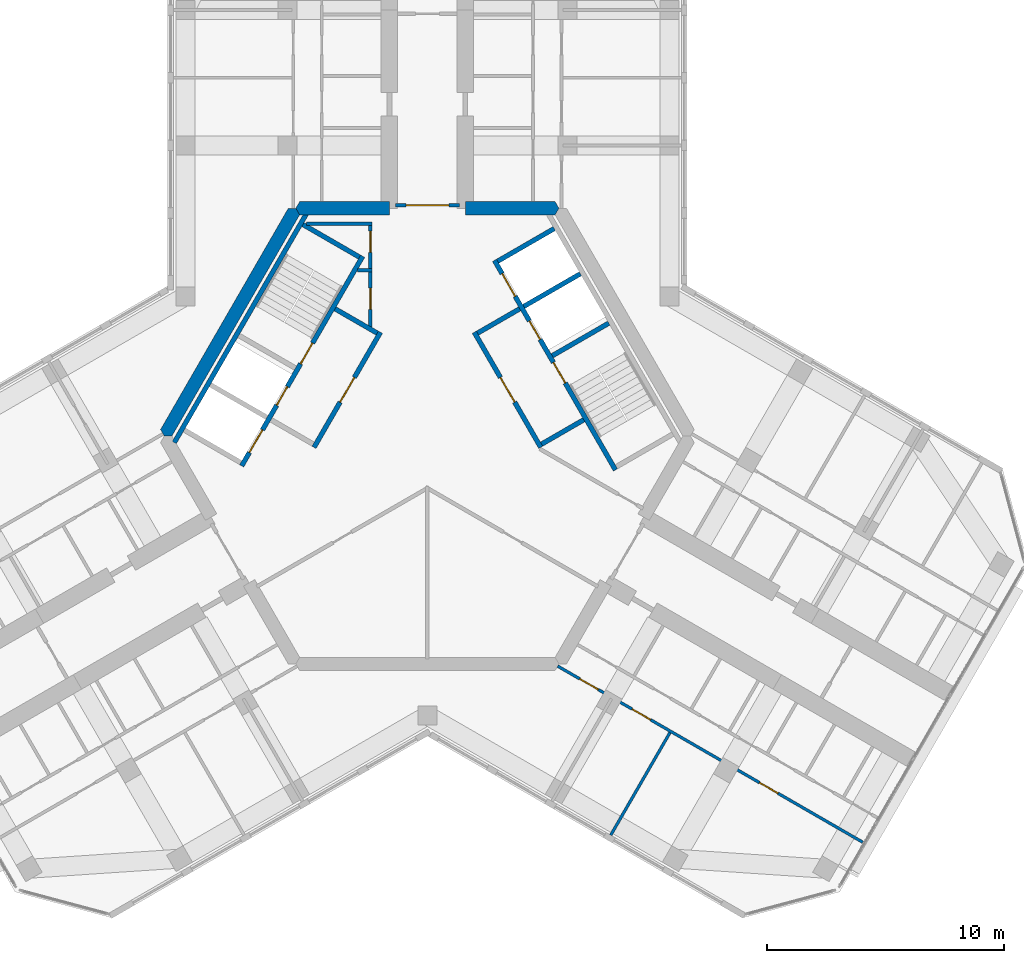
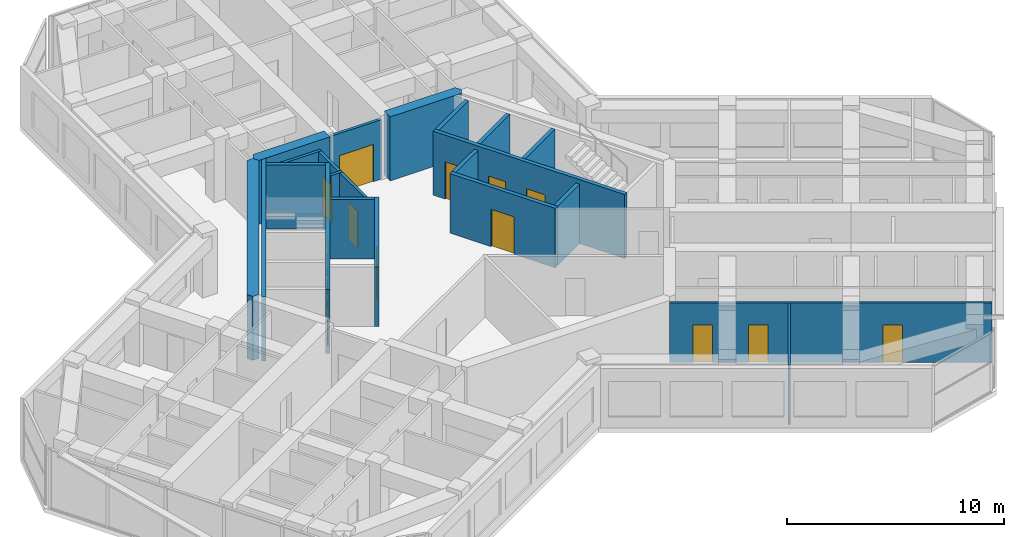
# One storey, part 9 of 14: 21 walls, 14 doors, 14 openings.
"""IFC4 building model written with IfcOpenShell, lengths in metres."""

from ifc_helpers import new_model, si_unit, direction, frame, frame_2d, origin, place, context, subcontext, project, spatial, polyline, rectangle, outline, extrude, material, layer, layer_set, type_object, element, fill, save


model = new_model("IFC4")

# Units and contexts
model_context = context("Model", 3, precision=1e-05, world=origin(), true_north=direction((0.0, 1.0)))
body_context = subcontext(model_context, "Body", "Model", "MODEL_VIEW")
ifc_project = project(units=[si_unit("LENGTHUNIT", "METRE"), si_unit("AREAUNIT", "SQUARE_METRE"), si_unit("VOLUMEUNIT", "CUBIC_METRE"), si_unit("PLANEANGLEUNIT", "RADIAN"), si_unit("MASSUNIT", "GRAM", prefix="KILO")], contexts=[model_context])

# Site, building, storey
site_placement = place(None, origin())
site = spatial("IfcSite", under=ifc_project, at=site_placement, CompositionType="ELEMENT")
building_placement = place(site_placement, origin())
building = spatial("IfcBuilding", under=site, at=building_placement, Name="Kosmar Iwan School Tower", CompositionType="ELEMENT")
storey_placement = place(building_placement, frame((0.0, 0.0, 281.800048828125)))
storey = spatial("IfcBuildingStorey", under=building, at=storey_placement, Name="L71", CompositionType="ELEMENT", Elevation=281.800048828125)

# Wall, openings, doors
ifc_material_1 = material(Name="Gypsum board on steel studs, fire-rated", Category="steel")
ifc_layer_1 = layer(ifc_material_1, 0.14990234375)
ifc_layer_set_1 = layer_set([ifc_layer_1], Name="Core room partition 150")
wall_type_1 = type_object("IfcWallType", Name="Core room partition 150", PredefinedType="PARTITIONING", material=ifc_layer_set_1)
wall_1_placement = place(storey_placement, frame((-2.39990234375, 9.014892578125, 0.0), z_axis=(0.0, 0.0, 1.0), x_axis=(0.0, -1.0, 0.0)))
wall_1 = element("IfcWall", 1, at=wall_1_placement, inside=storey, type_object=wall_type_1, Name="Core room partition L71-CW1", PredefinedType="PARTITIONING", context=body_context, shape_type="SweptSolid", body=[
    extrude(rectangle(XDim=4.484130859375, YDim=0.14990234375, at=frame_2d((2.2421875, 0.0))), origin(), (0.0, 0.0, 1.0), 3.349853515625),
])
opening_1_placement = place(wall_1_placement, frame((0.375, 0.0, 0.0)))
opening_1 = element("IfcOpeningElement", 2, at=opening_1_placement, cuts=wall_1, Name="Opening D14", PredefinedType="OPENING", context=body_context, shape_type="SweptSolid", body=[
    extrude(rectangle(XDim=0.89990234375, YDim=2.10009765625, at=frame_2d((0.449951171875, 1.050048828125))), frame((0.0, 0.0869140625, 0.0), z_axis=(0.0, -1.0, 0.0), x_axis=(1.0, 0.0, 0.0)), (0.0, 0.0, 1.0), 0.173828125),
])
opening_2_placement = place(wall_1_placement, frame((2.77490234375, 0.0, 0.0)))
opening_2 = element("IfcOpeningElement", 3, at=opening_2_placement, cuts=wall_1, Name="Opening D14", PredefinedType="OPENING", context=body_context, shape_type="SweptSolid", body=[
    extrude(rectangle(XDim=0.89990234375, YDim=2.10009765625, at=frame_2d((0.449951171875, 1.050048828125))), frame((0.0, 0.0869140625, 0.0), z_axis=(0.0, -1.0, 0.0), x_axis=(1.0, 0.0, 0.0)), (0.0, 0.0, 1.0), 0.173828125),
])
ifc_material_2 = material(Name="Timber fire door in steel frame", Category="steel")
door_type_1 = type_object("IfcDoorType", Name="Core room door 900x2100", OperationType="SINGLE_SWING_LEFT", PredefinedType="DOOR", material=ifc_material_2)
door_1_placement = place(opening_1_placement, origin())
door_1 = element("IfcDoor", 4, at=door_1_placement, inside=storey, type_object=door_type_1, Name="Electrical riser and switch room door L71 1", OperationType="SINGLE_SWING_LEFT", OverallHeight=2.10009765625, OverallWidth=0.89990234375, PredefinedType="DOOR", context=body_context, shape_type="SweptSolid", body=[
    extrude(rectangle(XDim=0.89990234375, YDim=2.10009765625, at=frame_2d((0.449951171875, 1.050048828125))), frame((0.0, 0.02490234375, 0.0), z_axis=(0.0, -1.0, 0.0), x_axis=(1.0, 0.0, 0.0)), (0.0, 0.0, 1.0), 0.050048828125),
])
fill(opening_1, door_1)
door_2_placement = place(opening_2_placement, origin())
door_2 = element("IfcDoor", 5, at=door_2_placement, inside=storey, type_object=door_type_1, Name="Plumbing and wet riser door L71 2", OperationType="SINGLE_SWING_RIGHT", OverallHeight=2.10009765625, OverallWidth=0.89990234375, PredefinedType="DOOR", context=body_context, shape_type="SweptSolid", body=[
    extrude(rectangle(XDim=0.89990234375, YDim=2.10009765625, at=frame_2d((0.449951171875, 1.050048828125))), frame((0.0, 0.02490234375, 0.0), z_axis=(0.0, -1.0, 0.0), x_axis=(1.0, 0.0, 0.0)), (0.0, 0.0, 1.0), 0.050048828125),
])
fill(opening_2, door_2)

# Walls
wall_2_placement = place(storey_placement, frame((-2.324951171875, 6.985107421875, 0.0), z_axis=(0.0, 0.0, 1.0), x_axis=(-1.0, 0.0, 0.0)))
element("IfcWall", 6, at=wall_2_placement, inside=storey, type_object=wall_type_1, Name="Core room partition L71-CW2", PredefinedType="PARTITIONING", context=body_context, shape_type="SweptSolid", body=[
    extrude(rectangle(XDim=0.623779296875, YDim=0.14990234375, at=frame_2d((0.31201171875, 0.0))), origin(), (0.0, 0.0, 1.0), 3.349853515625),
])
wall_3_placement = place(storey_placement, frame((-5.089599609375, 8.93994140625, 0.0), z_axis=(0.0, 0.0, 1.0), x_axis=(1.0, 0.0, 0.0)))
element("IfcWall", 7, at=wall_3_placement, inside=storey, type_object=wall_type_1, Name="Core room partition L71-CW3", PredefinedType="PARTITIONING", context=body_context, shape_type="SweptSolid", body=[
    extrude(rectangle(XDim=2.7646484375, YDim=0.14990234375, at=frame_2d((1.38232421875, 0.0))), origin(), (0.0, 0.0, 1.0), 3.349853515625),
])
ifc_material_3 = material(Name="Concrete C50/60", Category="concrete")
ifc_layer_2 = layer(ifc_material_3, 0.550048828125)
ifc_layer_set_2 = layer_set([ifc_layer_2], Name="Core wall 550")
wall_type_2 = type_object("IfcWallType", Name="Core wall 550", PredefinedType="SHEAR", material=ifc_layer_set_2)
wall_4_placement = place(storey_placement, origin())
element("IfcWall", 8, at=wall_4_placement, inside=storey, type_object=wall_type_2, Name="Core wall F090a", PredefinedType="SHEAR", context=body_context, shape_type="SweptSolid", body=[
    extrude(outline(polyline([(1.60009765625, 9.324951171875), (5.3837890625, 9.324951171875), (5.54248046875, 9.60009765625), (5.3837890625, 9.875), (1.60009765625, 9.875), (1.60009765625, 9.324951171875)])), origin(), (0.0, 0.0, 1.0), 3.599853515625),
])
wall_5_placement = place(storey_placement, origin())
element("IfcWall", 9, at=wall_5_placement, inside=storey, type_object=wall_type_2, Name="Core wall F090b", PredefinedType="SHEAR", context=body_context, shape_type="SweptSolid", body=[
    extrude(outline(polyline([(-5.3837890625, 9.324951171875), (-1.60009765625, 9.324951171875), (-1.60009765625, 9.875), (-5.3837890625, 9.875), (-5.54248046875, 9.60009765625), (-5.3837890625, 9.324951171875)])), origin(), (0.0, 0.0, 1.0), 3.599853515625),
])
wall_6_placement = place(storey_placement, origin())
element("IfcWall", 10, at=wall_6_placement, inside=storey, type_object=wall_type_2, Name="Core wall F150", PredefinedType="SHEAR", context=body_context, shape_type="SweptSolid", body=[
    extrude(outline(polyline([(-11.085205078125, 0.0), (-10.767578125, 0.0), (-5.3837890625, 9.324951171875), (-5.54248046875, 9.60009765625), (-5.860107421875, 9.60009765625), (-11.243896484375, 0.27490234375), (-11.085205078125, 0.0)])), origin(), (0.0, 0.0, 1.0), 3.599853515625),
])

# Wall, opening, door
ifc_material_4 = material(Name="Steel framed glazed screen", Category="steel")
ifc_layer_3 = layer(ifc_material_4, 0.14990234375)
ifc_layer_set_3 = layer_set([ifc_layer_3], Name="Corridor screen wall 150")
wall_type_3 = type_object("IfcWallType", Name="Corridor screen wall 150", PredefinedType="PARTITIONING", material=ifc_layer_set_3)
wall_7_placement = place(storey_placement, frame((1.35009765625, 9.72509765625, 0.0), z_axis=(0.0, 0.0, 1.0), x_axis=(-1.0, 0.0, 0.0)))
wall_7 = element("IfcWall", 11, at=wall_7_placement, inside=storey, type_object=wall_type_3, Name="Corridor screen A L71", PredefinedType="PARTITIONING", context=body_context, shape_type="SweptSolid", body=[
    extrude(rectangle(XDim=2.7001953125, YDim=0.14990234375, at=frame_2d((1.35009765625, 0.0))), origin(), (0.0, 0.0, 1.0), 3.349853515625),
])
opening_3_placement = place(wall_7_placement, frame((0.449951171875, 0.0, 0.0)))
opening_3 = element("IfcOpeningElement", 12, at=opening_3_placement, cuts=wall_7, Name="Opening D9", PredefinedType="OPENING", context=body_context, shape_type="SweptSolid", body=[
    extrude(rectangle(XDim=1.800048828125, YDim=2.10009765625, at=frame_2d((0.89990234375, 1.050048828125))), frame((0.0, 0.0869140625, 0.0), z_axis=(0.0, -1.0, 0.0), x_axis=(1.0, 0.0, 0.0)), (0.0, 0.0, 1.0), 0.173828125),
])
ifc_material_5 = material(Name="Steel framed glazed smoke door", Category="steel")
door_type_2 = type_object("IfcDoorType", Name="Corridor smoke door pair 1800x2100", OperationType="DOUBLE_DOOR_DOUBLE_SWING", PredefinedType="DOOR", material=ifc_material_5)
door_3_placement = place(opening_3_placement, origin())
door_3 = element("IfcDoor", 13, at=door_3_placement, inside=storey, type_object=door_type_2, Name="Corridor doors A L71", OperationType="DOUBLE_DOOR_DOUBLE_SWING", OverallHeight=2.10009765625, OverallWidth=1.800048828125, PredefinedType="DOOR", context=body_context, shape_type="SweptSolid", body=[
    extrude(rectangle(XDim=1.800048828125, YDim=2.10009765625, at=frame_2d((0.89990234375, 1.050048828125))), frame((0.0, 0.02490234375, 0.0), z_axis=(0.0, -1.0, 0.0), x_axis=(1.0, 0.0, 0.0)), (0.0, 0.0, 1.0), 0.050048828125),
])
fill(opening_3, door_3)

# Wall, openings, doors
ifc_material_6 = material(Name="Gypsum board on steel studs", Category="steel")
ifc_layer_4 = layer(ifc_material_6, 0.1201171875)
ifc_layer_set_4 = layer_set([ifc_layer_4], Name="Dwelling partition 120")
wall_type_4 = type_object("IfcWallType", Name="Dwelling partition 120", PredefinedType="PARTITIONING", material=ifc_layer_set_4)
wall_8_placement = place(storey_placement, frame((5.48876953125, -9.693115234375, 0.0), z_axis=(0.0, 0.0, 1.0), x_axis=(0.866030301974, -0.499991515992, 0.0)))
wall_8 = element("IfcWall", 14, at=wall_8_placement, inside=storey, type_object=wall_type_4, Name="Partition L71-CR1-W2", PredefinedType="PARTITIONING", context=body_context, shape_type="SweptSolid", body=[
    extrude(rectangle(XDim=14.844970703125, YDim=0.1201171875, at=frame_2d((7.42236328125, 0.0))), origin(), (0.0, 0.0, 1.0), 3.349853515625),
])
opening_4_placement = place(wall_8_placement, frame((1.074951171875, 0.0, 0.0)))
opening_4 = element("IfcOpeningElement", 15, at=opening_4_placement, cuts=wall_8, Name="Opening D2", PredefinedType="OPENING", context=body_context, shape_type="SweptSolid", body=[
    extrude(rectangle(XDim=0.89990234375, YDim=2.10009765625, at=frame_2d((0.449951171875, 1.050048828125))), frame((0.0, 0.072021484375, 0.0), z_axis=(0.0, -1.0, 0.0), x_axis=(1.0, 0.0, 0.0)), (0.0, 0.0, 1.0), 0.14404296875),
])
opening_5_placement = place(wall_8_placement, frame((3.625, 0.0, 0.0)))
opening_5 = element("IfcOpeningElement", 16, at=opening_5_placement, cuts=wall_8, Name="Opening D2", PredefinedType="OPENING", context=body_context, shape_type="SweptSolid", body=[
    extrude(rectangle(XDim=0.89990234375, YDim=2.10009765625, at=frame_2d((0.449951171875, 1.050048828125))), frame((0.0, 0.072021484375, 0.0), z_axis=(0.0, -1.0, 0.0), x_axis=(1.0, 0.0, 0.0)), (0.0, 0.0, 1.0), 0.14404296875),
])
opening_6_placement = place(wall_8_placement, frame((9.824951171875, 0.0, 0.0)))
opening_6 = element("IfcOpeningElement", 17, at=opening_6_placement, cuts=wall_8, Name="Opening D2", PredefinedType="OPENING", context=body_context, shape_type="SweptSolid", body=[
    extrude(rectangle(XDim=0.89990234375, YDim=2.10009765625, at=frame_2d((0.449951171875, 1.050048828125))), frame((0.0, 0.072021484375, 0.0), z_axis=(0.0, -1.0, 0.0), x_axis=(1.0, 0.0, 0.0)), (0.0, 0.0, 1.0), 0.14404296875),
])
ifc_material_7 = material(Name="Timber door in timber frame", Category="wood")
door_type_3 = type_object("IfcDoorType", Name="Internal door 900x2100", OperationType="SINGLE_SWING_LEFT", PredefinedType="DOOR", material=ifc_material_7)
door_4_placement = place(opening_4_placement, origin())
door_4 = element("IfcDoor", 18, at=door_4_placement, inside=storey, type_object=door_type_3, Name="Bedroom 1 door L71-CR1-F1", OperationType="SINGLE_SWING_LEFT", OverallHeight=2.10009765625, OverallWidth=0.89990234375, PredefinedType="DOOR", context=body_context, shape_type="SweptSolid", body=[
    extrude(rectangle(XDim=0.89990234375, YDim=2.10009765625, at=frame_2d((0.449951171875, 1.050048828125))), frame((0.0, 0.02490234375, 0.0), z_axis=(0.0, -1.0, 0.0), x_axis=(1.0, 0.0, 0.0)), (0.0, 0.0, 1.0), 0.050048828125),
])
fill(opening_4, door_4)
door_5_placement = place(opening_5_placement, origin())
door_5 = element("IfcDoor", 19, at=door_5_placement, inside=storey, type_object=door_type_3, Name="Study door L71-CR1-F2", OperationType="SINGLE_SWING_LEFT", OverallHeight=2.10009765625, OverallWidth=0.89990234375, PredefinedType="DOOR", context=body_context, shape_type="SweptSolid", body=[
    extrude(rectangle(XDim=0.89990234375, YDim=2.10009765625, at=frame_2d((0.449951171875, 1.050048828125))), frame((0.0, 0.02490234375, 0.0), z_axis=(0.0, -1.0, 0.0), x_axis=(1.0, 0.0, 0.0)), (0.0, 0.0, 1.0), 0.050048828125),
])
fill(opening_5, door_5)
door_6_placement = place(opening_6_placement, origin())
door_6 = element("IfcDoor", 20, at=door_6_placement, inside=storey, type_object=door_type_3, Name="Living room and kitchen door L71-CR1-F3", OperationType="SINGLE_SWING_RIGHT", OverallHeight=2.10009765625, OverallWidth=0.89990234375, PredefinedType="DOOR", context=body_context, shape_type="SweptSolid", body=[
    extrude(rectangle(XDim=0.89990234375, YDim=2.10009765625, at=frame_2d((0.449951171875, 1.050048828125))), frame((0.0, 0.02490234375, 0.0), z_axis=(0.0, -1.0, 0.0), x_axis=(1.0, 0.0, 0.0)), (0.0, 0.0, 1.0), 0.050048828125),
])
fill(opening_6, door_6)

# Wall
wall_9_placement = place(storey_placement, frame((10.221923828125, -12.4951171875, 0.0), z_axis=(0.0, 0.0, 1.0), x_axis=(-0.499996339024, -0.86602751744, 0.0)))
element("IfcWall", 21, at=wall_9_placement, inside=storey, type_object=wall_type_4, Name="Partition L71-CR1-X2", PredefinedType="PARTITIONING", context=body_context, shape_type="SweptSolid", body=[
    extrude(rectangle(XDim=4.98974609375, YDim=0.1201171875, at=frame_2d((2.494873046875, 0.0))), origin(), (0.0, 0.0, 1.0), 3.349853515625),
])

# Wall, opening, door
ifc_material_8 = material(Name="Concrete block masonry", Category="masonry")
ifc_layer_5 = layer(ifc_material_8, 0.199951171875)
ifc_layer_set_5 = layer_set([ifc_layer_5], Name="Fire lobby wall 200")
wall_type_5 = type_object("IfcWallType", Name="Fire lobby wall 200", PredefinedType="PARTITIONING", material=ifc_layer_set_5)
wall_10_placement = place(storey_placement, frame((-1.9775390625, 4.374755859375, 0.0), z_axis=(0.0, 0.0, 1.0), x_axis=(-0.500016814911, -0.866015695474, 0.0)))
wall_10 = element("IfcWall", 22, at=wall_10_placement, inside=storey, type_object=wall_type_5, Name="Firefighting lobby wall ST2", PredefinedType="PARTITIONING", context=body_context, shape_type="SweptSolid", body=[
    extrude(rectangle(XDim=5.599853515625, YDim=0.199951171875, at=frame_2d((2.7998046875, 0.0))), origin(), (0.0, 0.0, 1.0), 3.349853515625),
])
opening_7_placement = place(wall_10_placement, frame((2.199951171875, 0.0, 0.0)))
opening_7 = element("IfcOpeningElement", 23, at=opening_7_placement, cuts=wall_10, Name="Opening D7", PredefinedType="OPENING", context=body_context, shape_type="SweptSolid", body=[
    extrude(rectangle(XDim=1.199951171875, YDim=2.10009765625, at=frame_2d((0.60009765625, 1.050048828125))), frame((0.0, 0.112060546875, 0.0), z_axis=(0.0, -1.0, 0.0), x_axis=(1.0, 0.0, 0.0)), (0.0, 0.0, 1.0), 0.223876953125),
])
ifc_material_9 = material(Name="Steel fire door", Category="steel")
door_type_4 = type_object("IfcDoorType", Name="Fire lobby door 1200x2100", OperationType="SINGLE_SWING_LEFT", PredefinedType="DOOR", material=ifc_material_9)
door_7_placement = place(opening_7_placement, origin())
door_7 = element("IfcDoor", 24, at=door_7_placement, inside=storey, type_object=door_type_4, Name="Firefighting lobby door ST2 L71", OperationType="SINGLE_SWING_LEFT", OverallHeight=2.10009765625, OverallWidth=1.199951171875, PredefinedType="DOOR", context=body_context, shape_type="SweptSolid", body=[
    extrude(rectangle(XDim=1.199951171875, YDim=2.10009765625, at=frame_2d((0.60009765625, 1.050048828125))), frame((0.0, 0.02490234375, 0.0), z_axis=(0.0, -1.0, 0.0), x_axis=(1.0, 0.0, 0.0)), (0.0, 0.0, 1.0), 0.050048828125),
])
fill(opening_7, door_7)

# Wall
wall_11_placement = place(storey_placement, frame((-2.114013671875, 4.33837890625, 0.0), z_axis=(0.0, 0.0, 1.0), x_axis=(-0.866050731258, 0.499956128963, 0.0)))
element("IfcWall", 25, at=wall_11_placement, inside=storey, type_object=wall_type_5, Name="Firefighting lobby wall ST2", PredefinedType="PARTITIONING", context=body_context, shape_type="SweptSolid", body=[
    extrude(rectangle(XDim=2.050048828125, YDim=0.199951171875, at=frame_2d((1.02490234375, 0.0))), origin(), (0.0, 0.0, 1.0), 3.349853515625),
])

# Wall, opening, door
wall_12_placement = place(storey_placement, frame((4.777587890625, -0.474853515625, 0.0), z_axis=(0.0, 0.0, 1.0), x_axis=(-0.500016814911, 0.866015695474, 0.0)))
wall_12 = element("IfcWall", 26, at=wall_12_placement, inside=storey, type_object=wall_type_5, Name="Firefighting lobby wall ST1", PredefinedType="PARTITIONING", context=body_context, shape_type="SweptSolid", body=[
    extrude(rectangle(XDim=5.599853515625, YDim=0.199951171875, at=frame_2d((2.7998046875, 0.0))), origin(), (0.0, 0.0, 1.0), 3.349853515625),
])
opening_8_placement = place(wall_12_placement, frame((2.199951171875, 0.0, 0.0)))
opening_8 = element("IfcOpeningElement", 27, at=opening_8_placement, cuts=wall_12, Name="Opening D7", PredefinedType="OPENING", context=body_context, shape_type="SweptSolid", body=[
    extrude(rectangle(XDim=1.199951171875, YDim=2.10009765625, at=frame_2d((0.60009765625, 1.050048828125))), frame((0.0, 0.112060546875, 0.0), z_axis=(0.0, -1.0, 0.0), x_axis=(1.0, 0.0, 0.0)), (0.0, 0.0, 1.0), 0.223876953125),
])
door_8_placement = place(opening_8_placement, origin())
door_8 = element("IfcDoor", 28, at=door_8_placement, inside=storey, type_object=door_type_4, Name="Firefighting lobby door ST1 L71", OperationType="SINGLE_SWING_LEFT", OverallHeight=2.10009765625, OverallWidth=1.199951171875, PredefinedType="DOOR", context=body_context, shape_type="SweptSolid", body=[
    extrude(rectangle(XDim=1.199951171875, YDim=2.10009765625, at=frame_2d((0.60009765625, 1.050048828125))), frame((0.0, 0.02490234375, 0.0), z_axis=(0.0, -1.0, 0.0), x_axis=(1.0, 0.0, 0.0)), (0.0, 0.0, 1.0), 0.050048828125),
])
fill(opening_8, door_8)

# Walls
wall_13_placement = place(storey_placement, frame((4.814208984375, -0.33837890625, 0.0), z_axis=(0.0, 0.0, 1.0), x_axis=(0.865969381856, 0.500097020274, 0.0)))
element("IfcWall", 29, at=wall_13_placement, inside=storey, type_object=wall_type_5, Name="Firefighting lobby wall ST1", PredefinedType="PARTITIONING", context=body_context, shape_type="SweptSolid", body=[
    extrude(rectangle(XDim=2.0498046875, YDim=0.199951171875, at=frame_2d((1.02490234375, 0.0))), origin(), (0.0, 0.0, 1.0), 3.349853515625),
])
wall_14_placement = place(storey_placement, frame((2.114013671875, 4.33837890625, 0.0), z_axis=(0.0, 0.0, 1.0), x_axis=(0.866050731258, 0.499956128963, 0.0)))
element("IfcWall", 30, at=wall_14_placement, inside=storey, type_object=wall_type_5, Name="Firefighting lobby wall ST1", PredefinedType="PARTITIONING", context=body_context, shape_type="SweptSolid", body=[
    extrude(rectangle(XDim=2.050048828125, YDim=0.199951171875, at=frame_2d((1.02490234375, 0.0))), origin(), (0.0, 0.0, 1.0), 3.349853515625),
])

# Wall, openings, doors
ifc_material_10 = material(Name="Concrete C50/60", Category="concrete")
ifc_layer_6 = layer(ifc_material_10, 0.199951171875)
ifc_layer_set_6 = layer_set([ifc_layer_6], Name="Lift shaft wall 200")
wall_type_6 = type_object("IfcWallType", Name="Lift shaft wall 200", PredefinedType="SHEAR", material=ifc_layer_set_6)
wall_15_placement = place(storey_placement, frame((-2.72607421875, 7.578369140625, 0.0), z_axis=(0.0, 0.0, 1.0), x_axis=(-0.500005610874, -0.86602216432, 0.0)))
wall_15 = element("IfcWall", 31, at=wall_15_placement, inside=storey, type_object=wall_type_6, Name="Lift and stair front wall AB", PredefinedType="SHEAR", context=body_context, shape_type="SweptSolid", body=[
    extrude(rectangle(XDim=10.2001953125, YDim=0.199951171875, at=frame_2d((5.10009765625, 0.0))), origin(), (0.0, 0.0, 1.0), 3.599853515625),
])
opening_9_placement = place(wall_15_placement, frame((6.35009765625, 0.0, 0.0)))
opening_9 = element("IfcOpeningElement", 32, at=opening_9_placement, cuts=wall_15, Name="Opening LD2", PredefinedType="OPENING", context=body_context, shape_type="SweptSolid", body=[
    extrude(rectangle(XDim=0.89990234375, YDim=2.10009765625, at=frame_2d((0.449951171875, 1.050048828125))), frame((0.0, 0.112060546875, 0.0), z_axis=(0.0, -1.0, 0.0), x_axis=(1.0, 0.0, 0.0)), (0.0, 0.0, 1.0), 0.223876953125),
])
opening_10_placement = place(wall_15_placement, frame((8.449951171875, 0.0, 0.0)))
opening_10 = element("IfcOpeningElement", 33, at=opening_10_placement, cuts=wall_15, Name="Opening LD1", PredefinedType="OPENING", context=body_context, shape_type="SweptSolid", body=[
    extrude(rectangle(XDim=1.10009765625, YDim=2.10009765625, at=frame_2d((0.550048828125, 1.050048828125))), frame((0.0, 0.112060546875, 0.0), z_axis=(0.0, -1.0, 0.0), x_axis=(1.0, 0.0, 0.0)), (0.0, 0.0, 1.0), 0.223876953125),
])
opening_11_placement = place(wall_15_placement, frame((4.22998046875, 0.0, 0.0)))
opening_11 = element("IfcOpeningElement", 34, at=opening_11_placement, cuts=wall_15, Name="Opening D6", PredefinedType="OPENING", context=body_context, shape_type="SweptSolid", body=[
    extrude(rectangle(XDim=1.0, YDim=2.10009765625, at=frame_2d((0.5, 1.050048828125))), frame((0.0, 0.112060546875, 0.0), z_axis=(0.0, -1.0, 0.0), x_axis=(1.0, 0.0, 0.0)), (0.0, 0.0, 1.0), 0.223876953125),
])
ifc_material_11 = material(Name="Stainless steel sliding lift door", Category="steel")
door_type_5 = type_object("IfcDoorType", Name="Firefighting lift landing door 900x2100", OperationType="SLIDING_TO_LEFT", PredefinedType="DOOR", material=ifc_material_11)
door_9_placement = place(opening_9_placement, origin())
door_9 = element("IfcDoor", 35, at=door_9_placement, inside=storey, type_object=door_type_5, Name="Lift FF2 landing door L71", OperationType="SLIDING_TO_LEFT", OverallHeight=2.10009765625, OverallWidth=0.89990234375, PredefinedType="DOOR", context=body_context, shape_type="SweptSolid", body=[
    extrude(rectangle(XDim=0.89990234375, YDim=2.10009765625, at=frame_2d((0.449951171875, 1.050048828125))), frame((0.0, 0.02490234375, 0.0), z_axis=(0.0, -1.0, 0.0), x_axis=(1.0, 0.0, 0.0)), (0.0, 0.0, 1.0), 0.050048828125),
])
fill(opening_9, door_9)
ifc_material_12 = material(Name="Stainless steel sliding lift door", Category="steel")
door_type_6 = type_object("IfcDoorType", Name="Lift landing door 1100x2100", OperationType="SLIDING_TO_LEFT", PredefinedType="DOOR", material=ifc_material_12)
door_10_placement = place(opening_10_placement, origin())
door_10 = element("IfcDoor", 36, at=door_10_placement, inside=storey, type_object=door_type_6, Name="Lift PL6 landing door L71", OperationType="SLIDING_TO_LEFT", OverallHeight=2.10009765625, OverallWidth=1.10009765625, PredefinedType="DOOR", context=body_context, shape_type="SweptSolid", body=[
    extrude(rectangle(XDim=1.10009765625, YDim=2.10009765625, at=frame_2d((0.550048828125, 1.050048828125))), frame((0.0, 0.02490234375, 0.0), z_axis=(0.0, -1.0, 0.0), x_axis=(1.0, 0.0, 0.0)), (0.0, 0.0, 1.0), 0.050048828125),
])
fill(opening_10, door_10)
ifc_material_13 = material(Name="Steel fire door", Category="steel")
door_type_7 = type_object("IfcDoorType", Name="Stair door 1000x2100", OperationType="SINGLE_SWING_LEFT", PredefinedType="DOOR", material=ifc_material_13)
door_11_placement = place(opening_11_placement, origin())
door_11 = element("IfcDoor", 37, at=door_11_placement, inside=storey, type_object=door_type_7, Name="Stair ST2 door L71", OperationType="SINGLE_SWING_LEFT", OverallHeight=2.10009765625, OverallWidth=1.0, PredefinedType="DOOR", context=body_context, shape_type="SweptSolid", body=[
    extrude(rectangle(XDim=1.0, YDim=2.10009765625, at=frame_2d((0.5, 1.050048828125))), frame((0.0, 0.02490234375, 0.0), z_axis=(0.0, -1.0, 0.0), x_axis=(1.0, 0.0, 0.0)), (0.0, 0.0, 1.0), 0.050048828125),
])
fill(opening_11, door_11)

# Wall
wall_16_placement = place(storey_placement, frame((-5.09521484375, 9.375, 0.0), z_axis=(0.0, 0.0, 1.0), x_axis=(-0.499994302092, -0.866028693448, 0.0)))
element("IfcWall", 38, at=wall_16_placement, inside=storey, type_object=wall_type_6, Name="Lift and stair back wall AB", PredefinedType="SHEAR", context=body_context, shape_type="SweptSolid", body=[
    extrude(rectangle(XDim=11.142822265625, YDim=0.199951171875, at=frame_2d((5.5712890625, 0.0))), origin(), (0.0, 0.0, 1.0), 3.599853515625),
])

# Wall, openings, doors
wall_17_placement = place(storey_placement, frame((7.926025390625, -1.42822265625, 0.0), z_axis=(0.0, 0.0, 1.0), x_axis=(-0.499998023675, 0.866026544813, 0.0)))
wall_17 = element("IfcWall", 39, at=wall_17_placement, inside=storey, type_object=wall_type_6, Name="Lift and stair front wall AC", PredefinedType="SHEAR", context=body_context, shape_type="SweptSolid", body=[
    extrude(rectangle(XDim=10.19970703125, YDim=0.199951171875, at=frame_2d((5.099853515625, 0.0))), origin(), (0.0, 0.0, 1.0), 3.599853515625),
])
opening_12_placement = place(wall_17_placement, frame((6.35009765625, 0.0, 0.0)))
opening_12 = element("IfcOpeningElement", 40, at=opening_12_placement, cuts=wall_17, Name="Opening LD2", PredefinedType="OPENING", context=body_context, shape_type="SweptSolid", body=[
    extrude(rectangle(XDim=0.89990234375, YDim=2.10009765625, at=frame_2d((0.449951171875, 1.050048828125))), frame((0.0, 0.112060546875, 0.0), z_axis=(0.0, -1.0, 0.0), x_axis=(1.0, 0.0, 0.0)), (0.0, 0.0, 1.0), 0.223876953125),
])
opening_13_placement = place(wall_17_placement, frame((8.449951171875, 0.0, 0.0)))
opening_13 = element("IfcOpeningElement", 41, at=opening_13_placement, cuts=wall_17, Name="Opening LD1", PredefinedType="OPENING", context=body_context, shape_type="SweptSolid", body=[
    extrude(rectangle(XDim=1.10009765625, YDim=2.10009765625, at=frame_2d((0.550048828125, 1.050048828125))), frame((0.0, 0.112060546875, 0.0), z_axis=(0.0, -1.0, 0.0), x_axis=(1.0, 0.0, 0.0)), (0.0, 0.0, 1.0), 0.223876953125),
])
opening_14_placement = place(wall_17_placement, frame((4.22998046875, 0.0, 0.0)))
opening_14 = element("IfcOpeningElement", 42, at=opening_14_placement, cuts=wall_17, Name="Opening D6", PredefinedType="OPENING", context=body_context, shape_type="SweptSolid", body=[
    extrude(rectangle(XDim=1.0, YDim=2.10009765625, at=frame_2d((0.5, 1.050048828125))), frame((0.0, 0.112060546875, 0.0), z_axis=(0.0, -1.0, 0.0), x_axis=(1.0, 0.0, 0.0)), (0.0, 0.0, 1.0), 0.223876953125),
])
door_12_placement = place(opening_12_placement, origin())
door_12 = element("IfcDoor", 43, at=door_12_placement, inside=storey, type_object=door_type_5, Name="Lift FF1 landing door L71", OperationType="SLIDING_TO_LEFT", OverallHeight=2.10009765625, OverallWidth=0.89990234375, PredefinedType="DOOR", context=body_context, shape_type="SweptSolid", body=[
    extrude(rectangle(XDim=0.89990234375, YDim=2.10009765625, at=frame_2d((0.449951171875, 1.050048828125))), frame((0.0, 0.02490234375, 0.0), z_axis=(0.0, -1.0, 0.0), x_axis=(1.0, 0.0, 0.0)), (0.0, 0.0, 1.0), 0.050048828125),
])
fill(opening_12, door_12)
door_13_placement = place(opening_13_placement, origin())
door_13 = element("IfcDoor", 44, at=door_13_placement, inside=storey, type_object=door_type_6, Name="Lift PL5 landing door L71", OperationType="SLIDING_TO_LEFT", OverallHeight=2.10009765625, OverallWidth=1.10009765625, PredefinedType="DOOR", context=body_context, shape_type="SweptSolid", body=[
    extrude(rectangle(XDim=1.10009765625, YDim=2.10009765625, at=frame_2d((0.550048828125, 1.050048828125))), frame((0.0, 0.02490234375, 0.0), z_axis=(0.0, -1.0, 0.0), x_axis=(1.0, 0.0, 0.0)), (0.0, 0.0, 1.0), 0.050048828125),
])
fill(opening_13, door_13)
door_14_placement = place(opening_14_placement, origin())
door_14 = element("IfcDoor", 45, at=door_14_placement, inside=storey, type_object=door_type_7, Name="Stair ST1 door L71", OperationType="SINGLE_SWING_LEFT", OverallHeight=2.10009765625, OverallWidth=1.0, PredefinedType="DOOR", context=body_context, shape_type="SweptSolid", body=[
    extrude(rectangle(XDim=1.0, YDim=2.10009765625, at=frame_2d((0.5, 1.050048828125))), frame((0.0, 0.02490234375, 0.0), z_axis=(0.0, -1.0, 0.0), x_axis=(1.0, 0.0, 0.0)), (0.0, 0.0, 1.0), 0.050048828125),
])
fill(opening_14, door_14)

# Walls
for number, where, z_axis, x_axis, name in (
    (46, (4.062744140625, 5.46337890625, 0.0), (0.0, 0.0, 1.0), (0.866027397988, 0.499996545922, 0.0), "Lift shaft wall AC 1"),
    (47, (2.962646484375, 7.368408203125, 0.0), (0.0, 0.0, 1.0), (0.866027397988, 0.499996545922, 0.0), "Lift shaft wall AC 2"),
):
    element("IfcWall", number, at=place(storey_placement, frame(where, z_axis=z_axis, x_axis=x_axis)), inside=storey, type_object=wall_type_6, Name=name, PredefinedType="SHEAR", context=body_context, shape_type="SweptSolid", body=[
        extrude(rectangle(XDim=2.75, YDim=0.199951171875, at=frame_2d((1.375, 0.0))), origin(), (0.0, 0.0, 1.0), 3.599853515625),
    ])
ifc_material_14 = material(Name="Concrete C50/60", Category="concrete")
ifc_layer_7 = layer(ifc_material_14, 0.199951171875)
ifc_layer_set_7 = layer_set([ifc_layer_7], Name="Stair enclosure wall 200")
wall_type_7 = type_object("IfcWallType", Name="Stair enclosure wall 200", PredefinedType="SHEAR", material=ifc_layer_set_7)
for number, where, z_axis, x_axis, name in (
    (48, (-2.862548828125, 7.541748046875, 0.0), (0.0, 0.0, 1.0), (-0.866027397988, 0.499996545922, 0.0), "Stair ST2 wall"),
    (49, (5.2626953125, 3.384765625, 0.0), (0.0, 0.0, 1.0), (0.866027397988, 0.499996545922, 0.0), "Stair ST1 wall"),
):
    element("IfcWall", number, at=place(storey_placement, frame(where, z_axis=z_axis, x_axis=x_axis)), inside=storey, type_object=wall_type_7, Name=name, PredefinedType="SHEAR", context=body_context, shape_type="SweptSolid", body=[
        extrude(rectangle(XDim=2.75, YDim=0.199951171875, at=frame_2d((1.375, 0.0))), origin(), (0.0, 0.0, 1.0), 3.599853515625),
    ])

save(model, "model.ifc")
